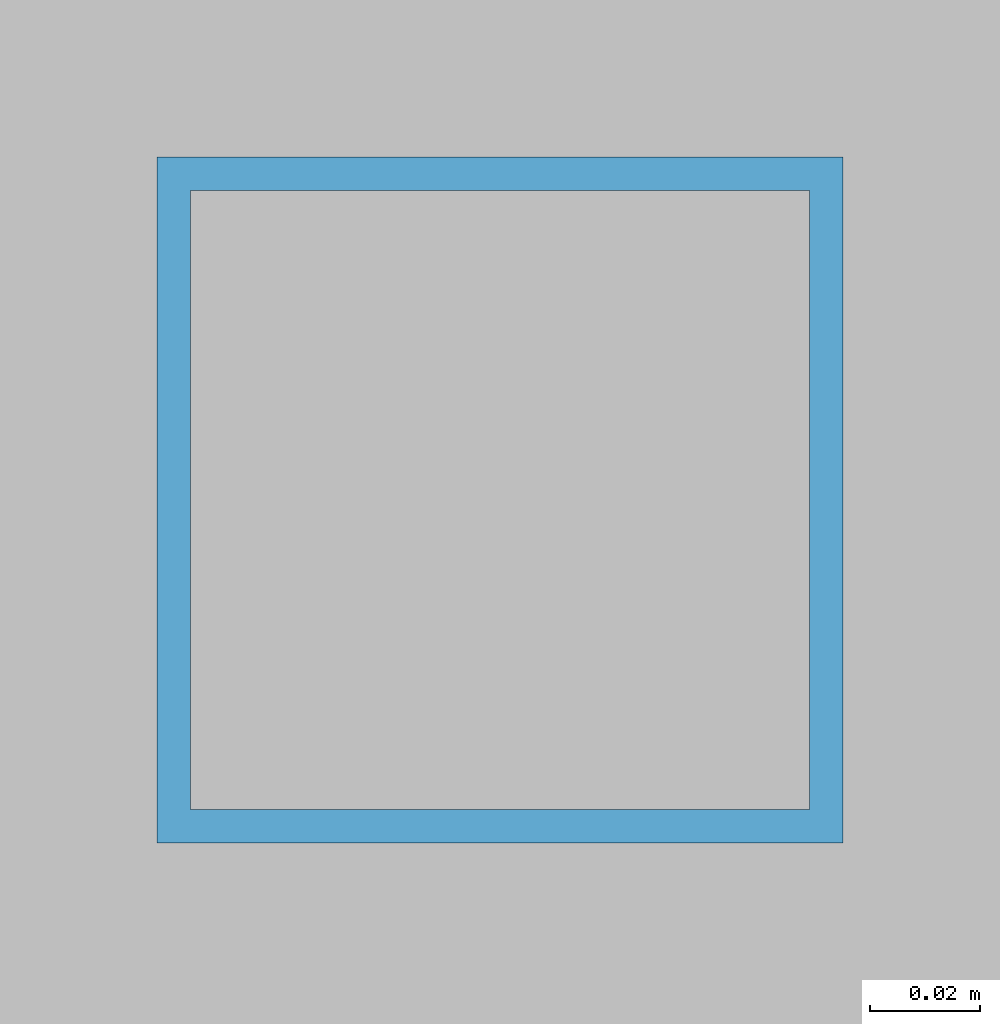
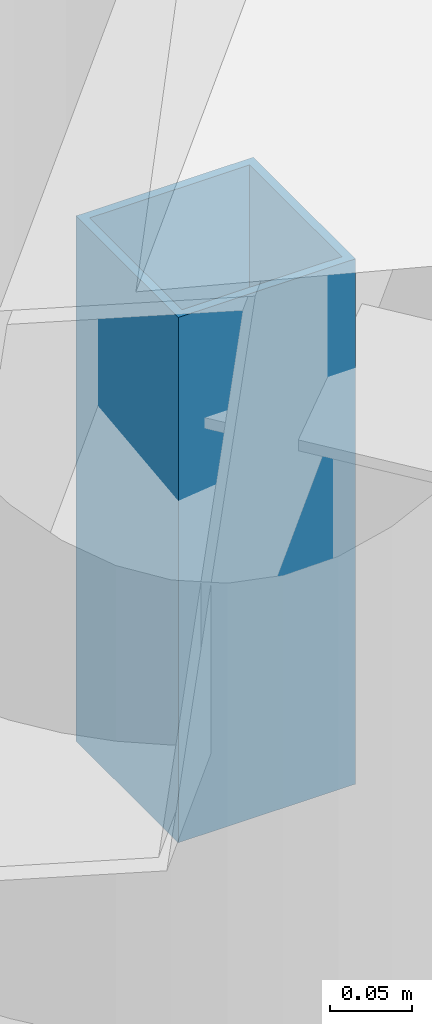
# One storey, part 131 of 200: 1 member.
"""IFC4 building model written with IfcOpenShell, lengths in metres."""

from ifc_helpers import new_model, si_unit, direction, frame, origin, origin_2d, place, context, subcontext, project, spatial, hollow_rectangle, extrude, material, material_profile, profile_set, type_object, element, save


model = new_model("IFC4")

# Units and contexts
model_context = context("Model", 3, precision=1e-05, world=origin(), true_north=direction((0.0, 1.0)))
body_context = subcontext(model_context, "Body", "Model", "MODEL_VIEW")
ifc_project = project(units=[si_unit("LENGTHUNIT", "METRE"), si_unit("AREAUNIT", "SQUARE_METRE"), si_unit("VOLUMEUNIT", "CUBIC_METRE"), si_unit("PLANEANGLEUNIT", "RADIAN"), si_unit("MASSUNIT", "GRAM", prefix="KILO")], contexts=[model_context])

# Site, building, storey
site_placement = place(None, origin())
site = spatial("IfcSite", under=ifc_project, at=site_placement, CompositionType="ELEMENT")
building_placement = place(site_placement, origin())
building = spatial("IfcBuilding", under=site, at=building_placement, Name="Vondelvale Polytechnic", CompositionType="ELEMENT")
storey_placement = place(building_placement, frame((0.0, 0.0, 13.800048828125)))
storey = spatial("IfcBuildingStorey", under=building, at=storey_placement, Name="L03", CompositionType="ELEMENT", Elevation=13.800048828125)

# Member
ifc_material = material(Name="Steel C350L0 (fy = 350 MPa)", Category="steel")
ifc_material_profile = material_profile(ifc_material, hollow_rectangle(XDim=0.125, YDim=0.125, WallThickness=0.006103515625, at=origin_2d()), Name="125x125x6.0SHS")
ifc_profile_set = profile_set([ifc_material_profile], Name="Steel C350L0 (fy = 350 MPa)")
member_type = type_object("IfcMemberType", Name="ROOF TRUSS POST 125SHS", PredefinedType="POST", material=ifc_profile_set)
member_placement = place(storey_placement, frame((121.799072265625, 91.799072265625, 0.0), z_axis=(0.0, 0.0, 1.0), x_axis=(1.0, 0.0, 0.0)))
element("IfcMember", 1, at=member_placement, inside=storey, type_object=member_type, Name="Ring step inner roof post 02", PredefinedType="POST", context=body_context, shape_type="SweptSolid", body=[
    extrude(hollow_rectangle(XDim=0.125, YDim=0.125, WallThickness=0.006103515625, at=origin_2d()), origin(), (0.0, 0.0, 1.0), 0.3916015625),
])

save(model, "model.ifc")
